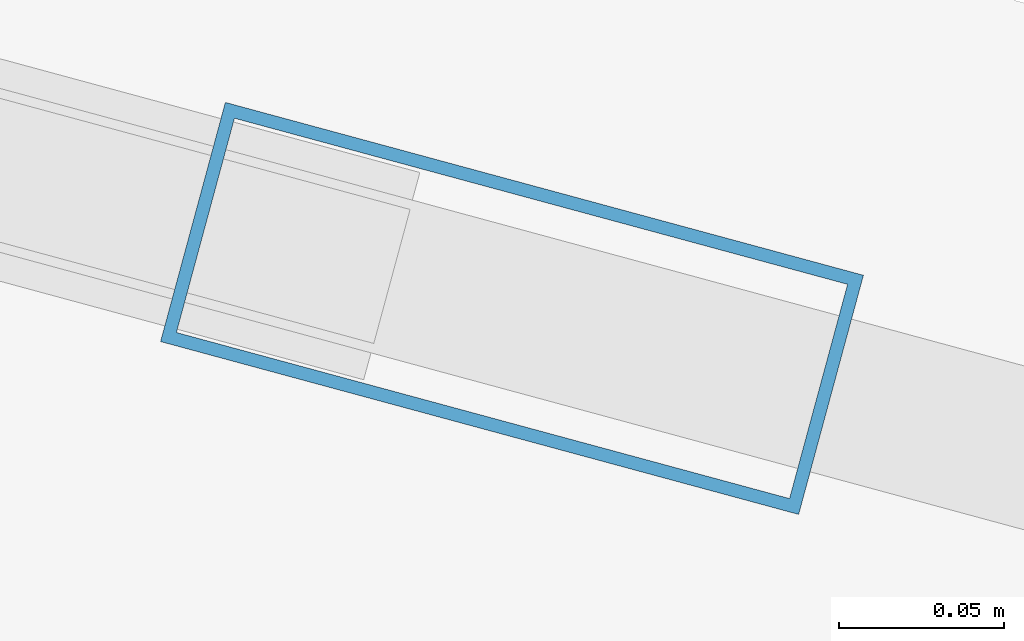
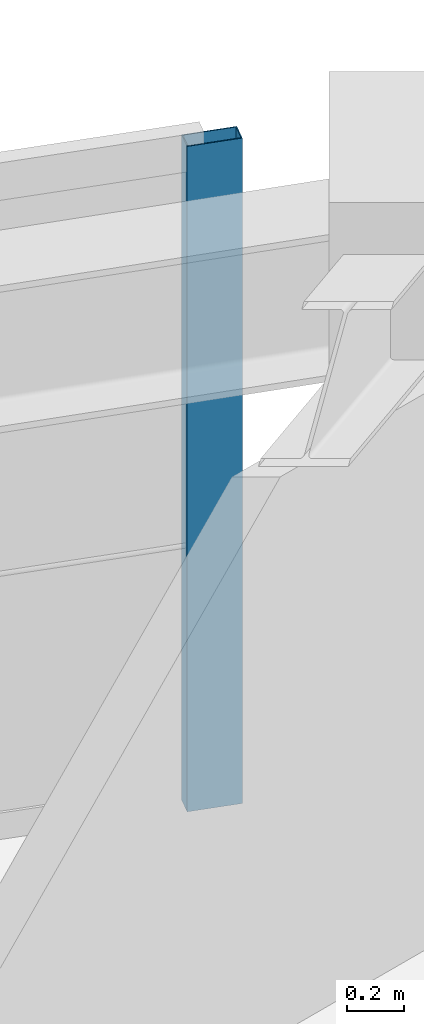
# One storey, part 11 of 19: 1 member, 1 element without a shape of its own.
"""IFC4 building model written with IfcOpenShell, lengths in metres."""

from ifc_helpers import new_model, si_unit, direction, frame, origin, origin_2d, place, context, subcontext, project, spatial, hollow_rectangle, extrude, material, layer, layer_set, material_profile, profile_set, type_object, element, aggregate, save


model = new_model("IFC4")

# Units and contexts
model_context = context("Model", 3, precision=1e-05, world=origin(), true_north=direction((0.0, 1.0)))
body_context = subcontext(model_context, "Body", "Model", "MODEL_VIEW")
ifc_project = project(units=[si_unit("LENGTHUNIT", "METRE"), si_unit("AREAUNIT", "SQUARE_METRE"), si_unit("VOLUMEUNIT", "CUBIC_METRE"), si_unit("PLANEANGLEUNIT", "RADIAN"), si_unit("MASSUNIT", "GRAM", prefix="KILO")], contexts=[model_context])

# Site, building, storey
site_placement = place(None, origin())
site = spatial("IfcSite", under=ifc_project, at=site_placement, CompositionType="ELEMENT")
building_placement = place(site_placement, origin())
building = spatial("IfcBuilding", under=site, at=building_placement, Name="Solvane Sanctuary Tower", CompositionType="ELEMENT")
storey_placement = place(building_placement, frame((0.0, 0.0, 201.60009765625)))
storey = spatial("IfcBuildingStorey", under=building, at=storey_placement, Name="L61", CompositionType="ELEMENT", Elevation=201.60009765625)

# Curtain wall, member
ifc_material = material(Name="Anodised Aluminium 6063-T6", Category="aluminium")
ifc_layer = layer(ifc_material, 0.18994140625, Name="Anodised Aluminium 6063-T6")
ifc_layer_set = layer_set([ifc_layer], Name="Anodised Aluminium 6063-T6")
curtain_wall_type = type_object("IfcCurtainWallType", Name="Curtain Wall CW-OPER", PredefinedType="NOTDEFINED", material=ifc_layer_set)
curtain_wall_placement = place(storey_placement, origin())
curtain_wall = element("IfcCurtainWall", 1, at=curtain_wall_placement, inside=storey, type_object=curtain_wall_type, Name="L61 CW-OPER Facade Run 04", PredefinedType="NOTDEFINED")
ifc_material_profile = material_profile(ifc_material, hollow_rectangle(XDim=0.074951171875, YDim=0.199951171875, WallThickness=0.00390625, at=origin_2d()), Name="ALU200X75X4")
ifc_profile_set = profile_set([ifc_material_profile], Name="Anodised Aluminium 6063-T6")
member_type = type_object("IfcMemberType", Name="Member M-CW-MUL-1 ALU200X75X4", PredefinedType="MULLION", material=ifc_profile_set)
member_placement = place(storey_placement, frame((43.04248046875, 36.4013671875, 0.0), z_axis=(0.0, 0.0, 1.0), x_axis=(-0.261468027073, -0.965212137728, 0.0)))
member = element("IfcMember", 2, at=member_placement, type_object=member_type, Name="CW-OPER mullion 1", PredefinedType="MULLION", context=body_context, shape_type="SweptSolid", body=[
    extrude(hollow_rectangle(XDim=0.074951171875, YDim=0.199951171875, WallThickness=0.00390625, at=origin_2d()), origin(), (0.0, 0.0, 1.0), 2.83984375),
])
aggregate(curtain_wall, [member])

save(model, "model.ifc")
